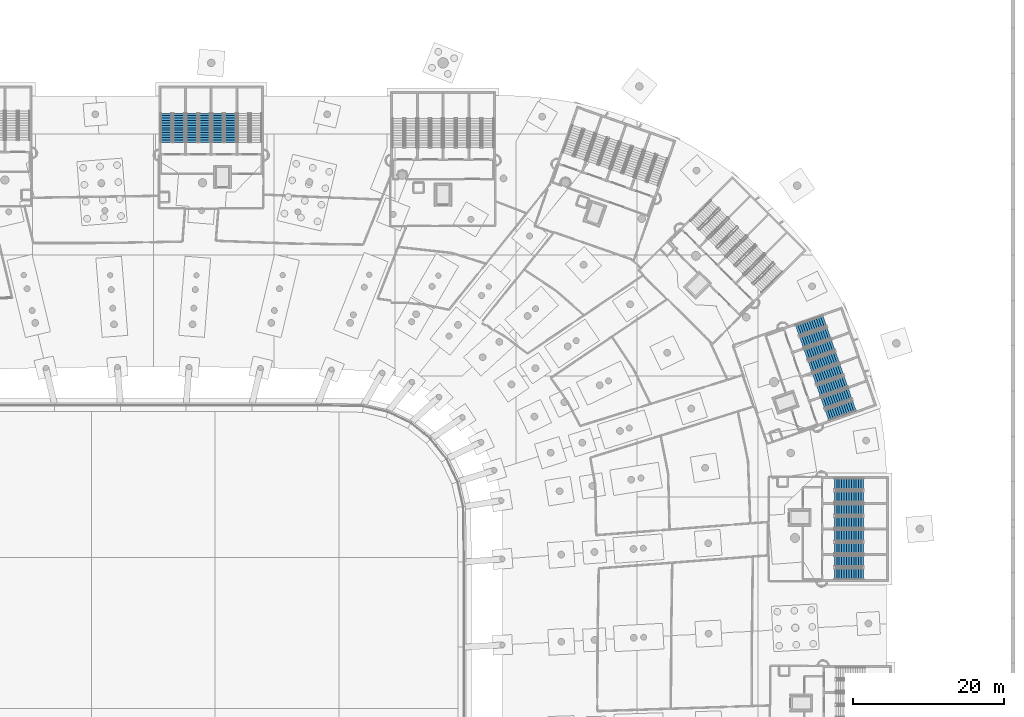
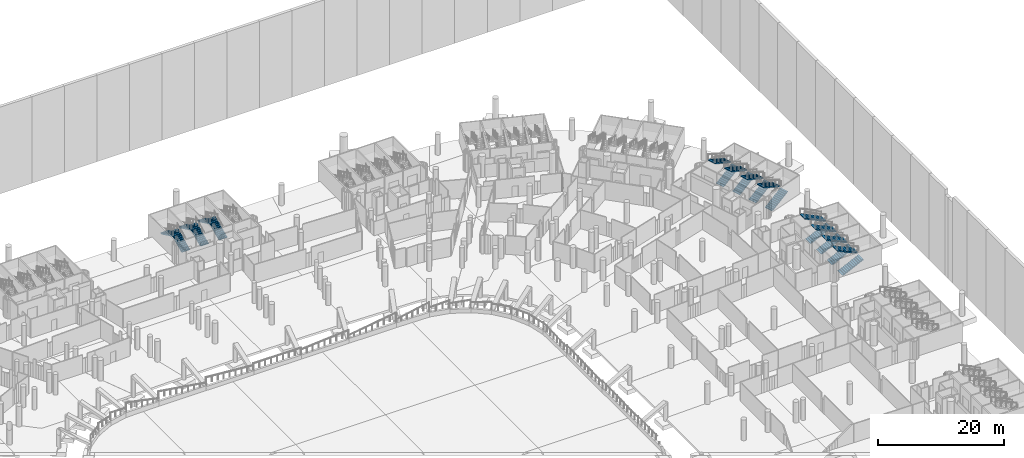
# One storey, part 106 of 142: 22 stair flights, 11 elements without a shape of their own.
"""IFC4 building model written with IfcOpenShell, lengths in metres."""

import ifcopenshell
import ifcopenshell.guid

model = None  # the IFC model being written
_history = None  # IfcOwnerHistory: only IFC2X3 demands one
_inside = {}  # id of a spatial element -> (the spatial element, [elements in it])
_under = {}  # id of a project, library or spatial element -> (it, [spatial elements below it])
_declared = {}  # id of a project -> (the project, [libraries it declares])
_typed = {}  # id of a type object -> (the type object, [elements of that type])
_made_of = {}  # id of a material, layer set ... -> (it, [elements and type objects made of it])


def new_model(schema):
    """Start an empty IFC model of exactly this schema.

    Asked for "IFC4X3", IfcOpenShell would pick the latest addendum, in which some entities
    have other attributes; the version numbers below select the first issue.
    IFC2X3 requires an IfcOwnerHistory on every rooted entity: one is made here for all.
    """
    global model, _history
    if schema == "IFC4X3":
        model = ifcopenshell.file(schema_version=(4, 3, 0, 0))
    else:
        model = ifcopenshell.file(schema=schema)
    _inside.clear()
    _under.clear()
    _declared.clear()
    _typed.clear()
    _made_of.clear()
    _history = None
    if model.schema == "IFC2X3":
        org = make("IfcOrganization", Name="unknown")
        user = make(
            "IfcPersonAndOrganization",
            ThePerson=make("IfcPerson", FamilyName="unknown"),
            TheOrganization=org,
        )
        app = make(
            "IfcApplication",
            ApplicationDeveloper=org,
            Version="unknown",
            ApplicationFullName="unknown",
            ApplicationIdentifier="unknown",
        )
        _history = make(
            "IfcOwnerHistory",
            OwningUser=user,
            OwningApplication=app,
            ChangeAction="ADDED",
            CreationDate=0,
        )
    return model


def make(cls, **values):
    """One entity of the class cls with the attributes given. An attribute that is None is left unset."""
    return model.create_entity(
        cls, **{name: value for name, value in values.items() if value is not None}
    )


def rooted(cls, **values):
    """An entity with a GlobalId (a new one), such as an element, a storey or a relation."""
    return make(cls, GlobalId=ifcopenshell.guid.new(), OwnerHistory=_history, **values)


def si_unit(unit_type, name, prefix=None):
    """IfcSIUnit, for example si_unit("LENGTHUNIT", "METRE", prefix="MILLI")."""
    return make("IfcSIUnit", UnitType=unit_type, Prefix=prefix, Name=name)


def assignment(units):
    """IfcUnitAssignment: the units of a project."""
    return None if units is None else make("IfcUnitAssignment", Units=units)


def point(xyz):
    """IfcCartesianPoint."""
    return None if xyz is None else make("IfcCartesianPoint", Coordinates=xyz)


def direction(xyz):
    """IfcDirection."""
    return None if xyz is None else make("IfcDirection", DirectionRatios=xyz)


def frame(location, z_axis=None, x_axis=None):
    """IfcAxis2Placement3D, a coordinate frame: its origin and axes. An axis left out is left unset."""
    return make(
        "IfcAxis2Placement3D",
        Location=point(location),
        Axis=direction(z_axis),
        RefDirection=direction(x_axis),
    )


def origin():
    """The frame at (0, 0, 0) with its axes left unset."""
    return frame((0.0, 0.0, 0.0))


def place(relative_to, where):
    """IfcLocalPlacement: puts the frame where relative to a parent placement (None: the world)."""
    return make(
        "IfcLocalPlacement", PlacementRelTo=relative_to, RelativePlacement=where
    )


def context(
    kind, dimensions, precision=None, world=None, true_north=None, identifier=None
):
    """IfcGeometricRepresentationContext, for example the 3D "Model" context."""
    return make(
        "IfcGeometricRepresentationContext",
        ContextIdentifier=identifier,
        ContextType=kind,
        CoordinateSpaceDimension=dimensions,
        Precision=precision,
        WorldCoordinateSystem=world,
        TrueNorth=true_north,
    )


def subcontext(parent, identifier, kind, view, scale=None):
    """IfcGeometricRepresentationSubContext, for example "Body" below "Model"."""
    return make(
        "IfcGeometricRepresentationSubContext",
        ContextIdentifier=identifier,
        ContextType=kind,
        ParentContext=parent,
        TargetScale=scale,
        TargetView=view,
    )


def project(units=None, contexts=None):
    """IfcProject with its units and contexts."""
    return rooted(
        "IfcProject",
        Name="project",
        RepresentationContexts=contexts,
        UnitsInContext=assignment(units),
    )


def spatial(cls, under=None, at=None, **own):
    """A site, building, storey or space (cls), placed at a placement, below another one or the project."""
    s = rooted(cls, ObjectPlacement=at, **own)
    if under is not None:
        _under.setdefault(under.id(), (under, []))[1].append(s)
    return s


def polyline(points):
    """IfcPolyline through the points."""
    return make("IfcPolyline", Points=[point(p) for p in points])


def outline(outer, holes=None, kind="AREA"):
    """IfcArbitraryClosedProfileDef: a profile drawn as a closed curve; with holes, ...WithVoids."""
    if holes is None:
        return make("IfcArbitraryClosedProfileDef", ProfileType=kind, OuterCurve=outer)
    return make(
        "IfcArbitraryProfileDefWithVoids",
        ProfileType=kind,
        OuterCurve=outer,
        InnerCurves=holes,
    )


def extrude(swept, where, along, depth):
    """IfcExtrudedAreaSolid: the profile swept, set in the frame where, extruded along a direction by depth."""
    return make(
        "IfcExtrudedAreaSolid",
        SweptArea=swept,
        Position=where,
        ExtrudedDirection=direction(along),
        Depth=depth,
    )


def shape(context_of_items, identifier, shape_type, items):
    """IfcShapeRepresentation: the items that make up one representation, for example the "Body"."""
    return make(
        "IfcShapeRepresentation",
        ContextOfItems=context_of_items,
        RepresentationIdentifier=identifier,
        RepresentationType=shape_type,
        Items=items,
    )


def material(Name=None, Category=None):
    """IfcMaterial."""
    return make("IfcMaterial", Name=Name, Category=Category)


def made_of(thing, what):
    """Note that an element or type object is made of a material, layer set ...; save() writes the relation."""
    if what is not None:
        _made_of.setdefault(what.id(), (what, []))[1].append(thing)
    return thing


def type_object(cls, material=None, **own):
    """A type object (cls), such as IfcWallType, which elements share."""
    return made_of(rooted(cls, **own), material)


def element(
    cls,
    number,
    at=None,
    inside=None,
    cuts=None,
    type_object=None,
    material=None,
    context=None,
    identifier="Body",
    shape_type=None,
    held_by="IfcProductDefinitionShape",
    body=None,
    shapes=None,
    **own,
):
    """One element of the class cls, such as IfcWall. Its Tag is "e" and its number.

    at: its placement. inside: the storey or other place that contains it. cuts: it is an
    opening in that element (IfcRelVoidsElement). A single representation is given by context,
    identifier, shape_type and body (its items); several are given by shapes. held_by: the class
    of the entity that holds the representations. save() writes the other relations.
    """
    e = rooted(cls, Tag="e%d" % number, ObjectPlacement=at, **own)
    if body is not None:
        shapes = [shape(context, identifier, shape_type, body)]
    if shapes is not None:
        e.Representation = make(held_by, Representations=shapes)
    if inside is not None:
        _inside.setdefault(inside.id(), (inside, []))[1].append(e)
    if cuts is not None:
        rooted(
            "IfcRelVoidsElement", RelatingBuildingElement=cuts, RelatedOpeningElement=e
        )
    if type_object is not None:
        _typed.setdefault(type_object.id(), (type_object, []))[1].append(e)
    return made_of(e, material)


def aggregate(whole, parts):
    """IfcRelAggregates: a whole, such as a stair, and the parts it consists of."""
    return rooted("IfcRelAggregates", RelatingObject=whole, RelatedObjects=parts)


def save(model, path):
    """Write the relations noted so far, then the file.

    IfcRelAggregates (storeys below a building ...), IfcRelContainedInSpatialStructure (elements
    in a storey), IfcRelDefinesByType, IfcRelAssociatesMaterial and IfcRelDeclares: one each for
    every whole, place, type object, material and project.
    """
    for whole, parts in _under.values():
        aggregate(whole, parts)
    for where, things in _inside.values():
        rooted(
            "IfcRelContainedInSpatialStructure",
            RelatedElements=things,
            RelatingStructure=where,
        )
    for kind, things in _typed.values():
        rooted("IfcRelDefinesByType", RelatedObjects=things, RelatingType=kind)
    for what, things in _made_of.values():
        rooted("IfcRelAssociatesMaterial", RelatedObjects=things, RelatingMaterial=what)
    for by, libraries in _declared.values():
        rooted("IfcRelDeclares", RelatingContext=by, RelatedDefinitions=libraries)
    model.write(path)


model = new_model("IFC4")

# Units and contexts
model_context = context("Model", 3, precision=1e-05, world=origin(), true_north=direction((0.0, 1.0)))
body_context = subcontext(model_context, "Body", "Model", "MODEL_VIEW")
ifc_project = project(units=[si_unit("LENGTHUNIT", "METRE"), si_unit("AREAUNIT", "SQUARE_METRE"), si_unit("VOLUMEUNIT", "CUBIC_METRE"), si_unit("PLANEANGLEUNIT", "RADIAN"), si_unit("MASSUNIT", "GRAM", prefix="KILO")], contexts=[model_context])

# Site, building, storey
site_placement = place(None, origin())
site = spatial("IfcSite", under=ifc_project, at=site_placement, CompositionType="ELEMENT")
building_placement = place(site_placement, origin())
building = spatial("IfcBuilding", under=site, at=building_placement, Name="Meseta Stadium", CompositionType="ELEMENT")
storey_placement = place(building_placement, frame((0.0, 0.0, -4.0)))
storey = spatial("IfcBuildingStorey", under=building, at=storey_placement, Name="B1", CompositionType="ELEMENT", Elevation=-4.0)

# Stair, stair flights
ifc_material_1 = material(Name="Concrete C40/50", Category="concrete")
stair_type = type_object("IfcStairType", Name="Exit stair 2 flights 154 mm risers", PredefinedType="HALF_TURN_STAIR", material=ifc_material_1)
stair_1_placement = place(storey_placement, origin())
stair_1 = element("IfcStair", 1, at=stair_1_placement, inside=storey, type_object=stair_type, Name="ST17 B1", PredefinedType="HALF_TURN_STAIR")
ifc_material_2 = material(Name="Concrete C40/50", Category="concrete")
stair_flight_type = type_object("IfcStairFlightType", Name="Exit stair flight 154 mm risers, 2 per storey", PredefinedType="STRAIGHT", material=ifc_material_2)
stair_flight_1_placement = place(storey_placement, frame((90.10009765625, 37.800048828125, 0.0), z_axis=(0.0, 0.0, 1.0), x_axis=(1.0, 0.0, 0.0)))
stair_flight_1 = element("IfcStairFlight", 2, at=stair_flight_1_placement, type_object=stair_flight_type, Name="ST17 B1 flight 1", NumberOfRisers=13, NumberOfTreads=12, PredefinedType="STRAIGHT", RiserHeight=0.153846154, TreadLength=0.32, context=body_context, shape_type="SweptSolid", body=[
    extrude(outline(polyline([(0.0, 0.0), (0.0, 0.15380859375), (0.320068359375, 0.15380859375), (0.320068359375, 0.3076171875), (0.639892578125, 0.3076171875), (0.639892578125, 0.46142578125), (0.9599609375, 0.46142578125), (0.9599609375, 0.615478515625), (1.280029296875, 0.615478515625), (1.280029296875, 0.769287109375), (1.60009765625, 0.769287109375), (1.60009765625, 0.923095703125), (1.919921875, 0.923095703125), (1.919921875, 1.076904296875), (2.239990234375, 1.076904296875), (2.239990234375, 1.230712890625), (2.56005859375, 1.230712890625), (2.56005859375, 1.384521484375), (2.8798828125, 1.384521484375), (2.8798828125, 1.53857421875), (3.199951171875, 1.53857421875), (3.199951171875, 1.6923828125), (3.52001953125, 1.6923828125), (3.52001953125, 1.84619140625), (3.840087890625, 1.84619140625), (3.840087890625, 1.679931640625), (0.345947265625, 0.0), (0.0, 0.0)])), frame((0.0, 0.75, 0.0), z_axis=(0.0, -1.0, 0.0), x_axis=(1.0, 0.0, 0.0)), (0.0, 0.0, 1.0), 1.5),
])
stair_flight_2_placement = place(storey_placement, frame((93.93994140625, 39.5, 2.0), z_axis=(0.0, 0.0, 1.0), x_axis=(-1.0, 0.0, 0.0)))
stair_flight_2 = element("IfcStairFlight", 3, at=stair_flight_2_placement, type_object=stair_flight_type, Name="ST17 B1 flight 2", NumberOfRisers=13, NumberOfTreads=12, PredefinedType="STRAIGHT", RiserHeight=0.153846154, TreadLength=0.32, context=body_context, shape_type="SweptSolid", body=[
    extrude(outline(polyline([(0.0, 0.0), (0.0, 0.15380859375), (0.320068359375, 0.15380859375), (0.320068359375, 0.3076171875), (0.639892578125, 0.3076171875), (0.639892578125, 0.46142578125), (0.9599609375, 0.46142578125), (0.9599609375, 0.615478515625), (1.280029296875, 0.615478515625), (1.280029296875, 0.769287109375), (1.60009765625, 0.769287109375), (1.60009765625, 0.923095703125), (1.919921875, 0.923095703125), (1.919921875, 1.076904296875), (2.239990234375, 1.076904296875), (2.239990234375, 1.230712890625), (2.56005859375, 1.230712890625), (2.56005859375, 1.384521484375), (2.8798828125, 1.384521484375), (2.8798828125, 1.53857421875), (3.199951171875, 1.53857421875), (3.199951171875, 1.6923828125), (3.52001953125, 1.6923828125), (3.52001953125, 1.84619140625), (3.840087890625, 1.84619140625), (3.840087890625, 1.679931640625), (0.345947265625, 0.0), (0.0, 0.0)])), frame((0.0, 0.75, 0.0), z_axis=(0.0, -1.0, 0.0), x_axis=(1.0, 0.0, 0.0)), (0.0, 0.0, 1.0), 1.5),
])
aggregate(stair_1, [stair_flight_1, stair_flight_2])

stair_2_placement = place(storey_placement, origin())
stair_2 = element("IfcStair", 4, at=stair_2_placement, inside=storey, type_object=stair_type, Name="ST18 B1", PredefinedType="HALF_TURN_STAIR")
stair_flight_3_placement = place(storey_placement, frame((90.10009765625, 41.199951171875, 0.0), z_axis=(0.0, 0.0, 1.0), x_axis=(1.0, 0.0, 0.0)))
stair_flight_3 = element("IfcStairFlight", 5, at=stair_flight_3_placement, type_object=stair_flight_type, Name="ST18 B1 flight 1", NumberOfRisers=13, NumberOfTreads=12, PredefinedType="STRAIGHT", RiserHeight=0.153846154, TreadLength=0.32, context=body_context, shape_type="SweptSolid", body=[
    extrude(outline(polyline([(0.0, 0.0), (0.0, 0.15380859375), (0.320068359375, 0.15380859375), (0.320068359375, 0.3076171875), (0.639892578125, 0.3076171875), (0.639892578125, 0.46142578125), (0.9599609375, 0.46142578125), (0.9599609375, 0.615478515625), (1.280029296875, 0.615478515625), (1.280029296875, 0.769287109375), (1.60009765625, 0.769287109375), (1.60009765625, 0.923095703125), (1.919921875, 0.923095703125), (1.919921875, 1.076904296875), (2.239990234375, 1.076904296875), (2.239990234375, 1.230712890625), (2.56005859375, 1.230712890625), (2.56005859375, 1.384521484375), (2.8798828125, 1.384521484375), (2.8798828125, 1.53857421875), (3.199951171875, 1.53857421875), (3.199951171875, 1.6923828125), (3.52001953125, 1.6923828125), (3.52001953125, 1.84619140625), (3.840087890625, 1.84619140625), (3.840087890625, 1.679931640625), (0.345947265625, 0.0), (0.0, 0.0)])), frame((0.0, 0.75, 0.0), z_axis=(0.0, -1.0, 0.0), x_axis=(1.0, 0.0, 0.0)), (0.0, 0.0, 1.0), 1.5),
])
stair_flight_4_placement = place(storey_placement, frame((93.93994140625, 42.89990234375, 2.0), z_axis=(0.0, 0.0, 1.0), x_axis=(-1.0, 0.0, 0.0)))
stair_flight_4 = element("IfcStairFlight", 6, at=stair_flight_4_placement, type_object=stair_flight_type, Name="ST18 B1 flight 2", NumberOfRisers=13, NumberOfTreads=12, PredefinedType="STRAIGHT", RiserHeight=0.153846154, TreadLength=0.32, context=body_context, shape_type="SweptSolid", body=[
    extrude(outline(polyline([(0.0, 0.0), (0.0, 0.15380859375), (0.320068359375, 0.15380859375), (0.320068359375, 0.3076171875), (0.639892578125, 0.3076171875), (0.639892578125, 0.46142578125), (0.9599609375, 0.46142578125), (0.9599609375, 0.615478515625), (1.280029296875, 0.615478515625), (1.280029296875, 0.769287109375), (1.60009765625, 0.769287109375), (1.60009765625, 0.923095703125), (1.919921875, 0.923095703125), (1.919921875, 1.076904296875), (2.239990234375, 1.076904296875), (2.239990234375, 1.230712890625), (2.56005859375, 1.230712890625), (2.56005859375, 1.384521484375), (2.8798828125, 1.384521484375), (2.8798828125, 1.53857421875), (3.199951171875, 1.53857421875), (3.199951171875, 1.6923828125), (3.52001953125, 1.6923828125), (3.52001953125, 1.84619140625), (3.840087890625, 1.84619140625), (3.840087890625, 1.679931640625), (0.345947265625, 0.0), (0.0, 0.0)])), frame((0.0, 0.75, 0.0), z_axis=(0.0, -1.0, 0.0), x_axis=(1.0, 0.0, 0.0)), (0.0, 0.0, 1.0), 1.5),
])
aggregate(stair_2, [stair_flight_3, stair_flight_4])

stair_3_placement = place(storey_placement, origin())
stair_3 = element("IfcStair", 7, at=stair_3_placement, inside=storey, type_object=stair_type, Name="ST19 B1", PredefinedType="HALF_TURN_STAIR")
stair_flight_5_placement = place(storey_placement, frame((90.10009765625, 44.60009765625, 0.0), z_axis=(0.0, 0.0, 1.0), x_axis=(1.0, 0.0, 0.0)))
stair_flight_5 = element("IfcStairFlight", 8, at=stair_flight_5_placement, type_object=stair_flight_type, Name="ST19 B1 flight 1", NumberOfRisers=13, NumberOfTreads=12, PredefinedType="STRAIGHT", RiserHeight=0.153846154, TreadLength=0.32, context=body_context, shape_type="SweptSolid", body=[
    extrude(outline(polyline([(0.0, 0.0), (0.0, 0.15380859375), (0.320068359375, 0.15380859375), (0.320068359375, 0.3076171875), (0.639892578125, 0.3076171875), (0.639892578125, 0.46142578125), (0.9599609375, 0.46142578125), (0.9599609375, 0.615478515625), (1.280029296875, 0.615478515625), (1.280029296875, 0.769287109375), (1.60009765625, 0.769287109375), (1.60009765625, 0.923095703125), (1.919921875, 0.923095703125), (1.919921875, 1.076904296875), (2.239990234375, 1.076904296875), (2.239990234375, 1.230712890625), (2.56005859375, 1.230712890625), (2.56005859375, 1.384521484375), (2.8798828125, 1.384521484375), (2.8798828125, 1.53857421875), (3.199951171875, 1.53857421875), (3.199951171875, 1.6923828125), (3.52001953125, 1.6923828125), (3.52001953125, 1.84619140625), (3.840087890625, 1.84619140625), (3.840087890625, 1.679931640625), (0.345947265625, 0.0), (0.0, 0.0)])), frame((0.0, 0.75, 0.0), z_axis=(0.0, -1.0, 0.0), x_axis=(1.0, 0.0, 0.0)), (0.0, 0.0, 1.0), 1.5),
])
stair_flight_6_placement = place(storey_placement, frame((93.93994140625, 46.300048828125, 2.0), z_axis=(0.0, 0.0, 1.0), x_axis=(-1.0, 0.0, 0.0)))
stair_flight_6 = element("IfcStairFlight", 9, at=stair_flight_6_placement, type_object=stair_flight_type, Name="ST19 B1 flight 2", NumberOfRisers=13, NumberOfTreads=12, PredefinedType="STRAIGHT", RiserHeight=0.153846154, TreadLength=0.32, context=body_context, shape_type="SweptSolid", body=[
    extrude(outline(polyline([(0.0, 0.0), (0.0, 0.15380859375), (0.320068359375, 0.15380859375), (0.320068359375, 0.3076171875), (0.639892578125, 0.3076171875), (0.639892578125, 0.46142578125), (0.9599609375, 0.46142578125), (0.9599609375, 0.615478515625), (1.280029296875, 0.615478515625), (1.280029296875, 0.769287109375), (1.60009765625, 0.769287109375), (1.60009765625, 0.923095703125), (1.919921875, 0.923095703125), (1.919921875, 1.076904296875), (2.239990234375, 1.076904296875), (2.239990234375, 1.230712890625), (2.56005859375, 1.230712890625), (2.56005859375, 1.384521484375), (2.8798828125, 1.384521484375), (2.8798828125, 1.53857421875), (3.199951171875, 1.53857421875), (3.199951171875, 1.6923828125), (3.52001953125, 1.6923828125), (3.52001953125, 1.84619140625), (3.840087890625, 1.84619140625), (3.840087890625, 1.679931640625), (0.345947265625, 0.0), (0.0, 0.0)])), frame((0.0, 0.75, 0.0), z_axis=(0.0, -1.0, 0.0), x_axis=(1.0, 0.0, 0.0)), (0.0, 0.0, 1.0), 1.5),
])
aggregate(stair_3, [stair_flight_5, stair_flight_6])

stair_4_placement = place(storey_placement, origin())
stair_4 = element("IfcStair", 10, at=stair_4_placement, inside=storey, type_object=stair_type, Name="ST20 B1", PredefinedType="HALF_TURN_STAIR")
stair_flight_7_placement = place(storey_placement, frame((90.10009765625, 48.0, 0.0), z_axis=(0.0, 0.0, 1.0), x_axis=(1.0, 0.0, 0.0)))
stair_flight_7 = element("IfcStairFlight", 11, at=stair_flight_7_placement, type_object=stair_flight_type, Name="ST20 B1 flight 1", NumberOfRisers=13, NumberOfTreads=12, PredefinedType="STRAIGHT", RiserHeight=0.153846154, TreadLength=0.32, context=body_context, shape_type="SweptSolid", body=[
    extrude(outline(polyline([(0.0, 0.0), (0.0, 0.15380859375), (0.320068359375, 0.15380859375), (0.320068359375, 0.3076171875), (0.639892578125, 0.3076171875), (0.639892578125, 0.46142578125), (0.9599609375, 0.46142578125), (0.9599609375, 0.615478515625), (1.280029296875, 0.615478515625), (1.280029296875, 0.769287109375), (1.60009765625, 0.769287109375), (1.60009765625, 0.923095703125), (1.919921875, 0.923095703125), (1.919921875, 1.076904296875), (2.239990234375, 1.076904296875), (2.239990234375, 1.230712890625), (2.56005859375, 1.230712890625), (2.56005859375, 1.384521484375), (2.8798828125, 1.384521484375), (2.8798828125, 1.53857421875), (3.199951171875, 1.53857421875), (3.199951171875, 1.6923828125), (3.52001953125, 1.6923828125), (3.52001953125, 1.84619140625), (3.840087890625, 1.84619140625), (3.840087890625, 1.679931640625), (0.345947265625, 0.0), (0.0, 0.0)])), frame((0.0, 0.75, 0.0), z_axis=(0.0, -1.0, 0.0), x_axis=(1.0, 0.0, 0.0)), (0.0, 0.0, 1.0), 1.5),
])
stair_flight_8_placement = place(storey_placement, frame((93.93994140625, 49.699951171875, 2.0), z_axis=(0.0, 0.0, 1.0), x_axis=(-1.0, 0.0, 0.0)))
stair_flight_8 = element("IfcStairFlight", 12, at=stair_flight_8_placement, type_object=stair_flight_type, Name="ST20 B1 flight 2", NumberOfRisers=13, NumberOfTreads=12, PredefinedType="STRAIGHT", RiserHeight=0.153846154, TreadLength=0.32, context=body_context, shape_type="SweptSolid", body=[
    extrude(outline(polyline([(0.0, 0.0), (0.0, 0.15380859375), (0.320068359375, 0.15380859375), (0.320068359375, 0.3076171875), (0.639892578125, 0.3076171875), (0.639892578125, 0.46142578125), (0.9599609375, 0.46142578125), (0.9599609375, 0.615478515625), (1.280029296875, 0.615478515625), (1.280029296875, 0.769287109375), (1.60009765625, 0.769287109375), (1.60009765625, 0.923095703125), (1.919921875, 0.923095703125), (1.919921875, 1.076904296875), (2.239990234375, 1.076904296875), (2.239990234375, 1.230712890625), (2.56005859375, 1.230712890625), (2.56005859375, 1.384521484375), (2.8798828125, 1.384521484375), (2.8798828125, 1.53857421875), (3.199951171875, 1.53857421875), (3.199951171875, 1.6923828125), (3.52001953125, 1.6923828125), (3.52001953125, 1.84619140625), (3.840087890625, 1.84619140625), (3.840087890625, 1.679931640625), (0.345947265625, 0.0), (0.0, 0.0)])), frame((0.0, 0.75, 0.0), z_axis=(0.0, -1.0, 0.0), x_axis=(1.0, 0.0, 0.0)), (0.0, 0.0, 1.0), 1.5),
])
aggregate(stair_4, [stair_flight_7, stair_flight_8])

stair_5_placement = place(storey_placement, origin())
stair_5 = element("IfcStair", 13, at=stair_5_placement, inside=storey, type_object=stair_type, Name="ST21 B1", PredefinedType="HALF_TURN_STAIR")
stair_flight_9_placement = place(storey_placement, frame((89.118408203125, 58.7841796875, 0.0), z_axis=(0.0, 0.0, 1.0), x_axis=(0.943883331955, 0.330279057248, 0.0)))
stair_flight_9 = element("IfcStairFlight", 14, at=stair_flight_9_placement, type_object=stair_flight_type, Name="ST21 B1 flight 1", NumberOfRisers=13, NumberOfTreads=12, PredefinedType="STRAIGHT", RiserHeight=0.153846154, TreadLength=0.32, context=body_context, shape_type="SweptSolid", body=[
    extrude(outline(polyline([(0.0, 0.0), (0.0, 0.15380859375), (0.320068359375, 0.15380859375), (0.320068359375, 0.3076171875), (0.639892578125, 0.3076171875), (0.639892578125, 0.46142578125), (0.9599609375, 0.46142578125), (0.9599609375, 0.615478515625), (1.280029296875, 0.615478515625), (1.280029296875, 0.769287109375), (1.60009765625, 0.769287109375), (1.60009765625, 0.923095703125), (1.919921875, 0.923095703125), (1.919921875, 1.076904296875), (2.239990234375, 1.076904296875), (2.239990234375, 1.230712890625), (2.56005859375, 1.230712890625), (2.56005859375, 1.384521484375), (2.8798828125, 1.384521484375), (2.8798828125, 1.53857421875), (3.199951171875, 1.53857421875), (3.199951171875, 1.6923828125), (3.52001953125, 1.6923828125), (3.52001953125, 1.84619140625), (3.840087890625, 1.84619140625), (3.840087890625, 1.679931640625), (0.345947265625, 0.0), (0.0, 0.0)])), frame((0.0, 0.75, 0.0), z_axis=(0.0, -1.0, 0.0), x_axis=(1.0, 0.0, 0.0)), (0.0, 0.0, 1.0), 1.5),
])
stair_flight_10_placement = place(storey_placement, frame((92.181396484375, 61.656982421875, 2.0), z_axis=(0.0, 0.0, 1.0), x_axis=(-0.943883331955, -0.330279057248, 0.0)))
stair_flight_10 = element("IfcStairFlight", 15, at=stair_flight_10_placement, type_object=stair_flight_type, Name="ST21 B1 flight 2", NumberOfRisers=13, NumberOfTreads=12, PredefinedType="STRAIGHT", RiserHeight=0.153846154, TreadLength=0.32, context=body_context, shape_type="SweptSolid", body=[
    extrude(outline(polyline([(0.0, 0.0), (0.0, 0.15380859375), (0.320068359375, 0.15380859375), (0.320068359375, 0.3076171875), (0.639892578125, 0.3076171875), (0.639892578125, 0.46142578125), (0.9599609375, 0.46142578125), (0.9599609375, 0.615478515625), (1.280029296875, 0.615478515625), (1.280029296875, 0.769287109375), (1.60009765625, 0.769287109375), (1.60009765625, 0.923095703125), (1.919921875, 0.923095703125), (1.919921875, 1.076904296875), (2.239990234375, 1.076904296875), (2.239990234375, 1.230712890625), (2.56005859375, 1.230712890625), (2.56005859375, 1.384521484375), (2.8798828125, 1.384521484375), (2.8798828125, 1.53857421875), (3.199951171875, 1.53857421875), (3.199951171875, 1.6923828125), (3.52001953125, 1.6923828125), (3.52001953125, 1.84619140625), (3.840087890625, 1.84619140625), (3.840087890625, 1.679931640625), (0.345947265625, 0.0), (0.0, 0.0)])), frame((0.0, 0.75, 0.0), z_axis=(0.0, -1.0, 0.0), x_axis=(1.0, 0.0, 0.0)), (0.0, 0.0, 1.0), 1.5),
])
aggregate(stair_5, [stair_flight_9, stair_flight_10])

stair_6_placement = place(storey_placement, origin())
stair_6 = element("IfcStair", 16, at=stair_6_placement, inside=storey, type_object=stair_type, Name="ST22 B1", PredefinedType="HALF_TURN_STAIR")
stair_flight_11_placement = place(storey_placement, frame((87.99560546875, 61.9931640625, 0.0), z_axis=(0.0, 0.0, 1.0), x_axis=(0.943883331955, 0.330279057248, 0.0)))
stair_flight_11 = element("IfcStairFlight", 17, at=stair_flight_11_placement, type_object=stair_flight_type, Name="ST22 B1 flight 1", NumberOfRisers=13, NumberOfTreads=12, PredefinedType="STRAIGHT", RiserHeight=0.153846154, TreadLength=0.32, context=body_context, shape_type="SweptSolid", body=[
    extrude(outline(polyline([(0.0, 0.0), (0.0, 0.15380859375), (0.320068359375, 0.15380859375), (0.320068359375, 0.3076171875), (0.639892578125, 0.3076171875), (0.639892578125, 0.46142578125), (0.9599609375, 0.46142578125), (0.9599609375, 0.615478515625), (1.280029296875, 0.615478515625), (1.280029296875, 0.769287109375), (1.60009765625, 0.769287109375), (1.60009765625, 0.923095703125), (1.919921875, 0.923095703125), (1.919921875, 1.076904296875), (2.239990234375, 1.076904296875), (2.239990234375, 1.230712890625), (2.56005859375, 1.230712890625), (2.56005859375, 1.384521484375), (2.8798828125, 1.384521484375), (2.8798828125, 1.53857421875), (3.199951171875, 1.53857421875), (3.199951171875, 1.6923828125), (3.52001953125, 1.6923828125), (3.52001953125, 1.84619140625), (3.840087890625, 1.84619140625), (3.840087890625, 1.679931640625), (0.345947265625, 0.0), (0.0, 0.0)])), frame((0.0, 0.75, 0.0), z_axis=(0.0, -1.0, 0.0), x_axis=(1.0, 0.0, 0.0)), (0.0, 0.0, 1.0), 1.5),
])
stair_flight_12_placement = place(storey_placement, frame((91.05859375, 64.8662109375, 2.0), z_axis=(0.0, 0.0, 1.0), x_axis=(-0.943883331955, -0.330279057248, 0.0)))
stair_flight_12 = element("IfcStairFlight", 18, at=stair_flight_12_placement, type_object=stair_flight_type, Name="ST22 B1 flight 2", NumberOfRisers=13, NumberOfTreads=12, PredefinedType="STRAIGHT", RiserHeight=0.153846154, TreadLength=0.32, context=body_context, shape_type="SweptSolid", body=[
    extrude(outline(polyline([(0.0, 0.0), (0.0, 0.15380859375), (0.320068359375, 0.15380859375), (0.320068359375, 0.3076171875), (0.639892578125, 0.3076171875), (0.639892578125, 0.46142578125), (0.9599609375, 0.46142578125), (0.9599609375, 0.615478515625), (1.280029296875, 0.615478515625), (1.280029296875, 0.769287109375), (1.60009765625, 0.769287109375), (1.60009765625, 0.923095703125), (1.919921875, 0.923095703125), (1.919921875, 1.076904296875), (2.239990234375, 1.076904296875), (2.239990234375, 1.230712890625), (2.56005859375, 1.230712890625), (2.56005859375, 1.384521484375), (2.8798828125, 1.384521484375), (2.8798828125, 1.53857421875), (3.199951171875, 1.53857421875), (3.199951171875, 1.6923828125), (3.52001953125, 1.6923828125), (3.52001953125, 1.84619140625), (3.840087890625, 1.84619140625), (3.840087890625, 1.679931640625), (0.345947265625, 0.0), (0.0, 0.0)])), frame((0.0, 0.75, 0.0), z_axis=(0.0, -1.0, 0.0), x_axis=(1.0, 0.0, 0.0)), (0.0, 0.0, 1.0), 1.5),
])
aggregate(stair_6, [stair_flight_11, stair_flight_12])

stair_7_placement = place(storey_placement, origin())
stair_7 = element("IfcStair", 19, at=stair_7_placement, inside=storey, type_object=stair_type, Name="ST23 B1", PredefinedType="HALF_TURN_STAIR")
stair_flight_13_placement = place(storey_placement, frame((86.87255859375, 65.202392578125, 0.0), z_axis=(0.0, 0.0, 1.0), x_axis=(0.943883331955, 0.330279057248, 0.0)))
stair_flight_13 = element("IfcStairFlight", 20, at=stair_flight_13_placement, type_object=stair_flight_type, Name="ST23 B1 flight 1", NumberOfRisers=13, NumberOfTreads=12, PredefinedType="STRAIGHT", RiserHeight=0.153846154, TreadLength=0.32, context=body_context, shape_type="SweptSolid", body=[
    extrude(outline(polyline([(0.0, 0.0), (0.0, 0.15380859375), (0.320068359375, 0.15380859375), (0.320068359375, 0.3076171875), (0.639892578125, 0.3076171875), (0.639892578125, 0.46142578125), (0.9599609375, 0.46142578125), (0.9599609375, 0.615478515625), (1.280029296875, 0.615478515625), (1.280029296875, 0.769287109375), (1.60009765625, 0.769287109375), (1.60009765625, 0.923095703125), (1.919921875, 0.923095703125), (1.919921875, 1.076904296875), (2.239990234375, 1.076904296875), (2.239990234375, 1.230712890625), (2.56005859375, 1.230712890625), (2.56005859375, 1.384521484375), (2.8798828125, 1.384521484375), (2.8798828125, 1.53857421875), (3.199951171875, 1.53857421875), (3.199951171875, 1.6923828125), (3.52001953125, 1.6923828125), (3.52001953125, 1.84619140625), (3.840087890625, 1.84619140625), (3.840087890625, 1.679931640625), (0.345947265625, 0.0), (0.0, 0.0)])), frame((0.0, 0.75, 0.0), z_axis=(0.0, -1.0, 0.0), x_axis=(1.0, 0.0, 0.0)), (0.0, 0.0, 1.0), 1.5),
])
stair_flight_14_placement = place(storey_placement, frame((89.935546875, 68.075439453125, 2.0), z_axis=(0.0, 0.0, 1.0), x_axis=(-0.943883331955, -0.330279057248, 0.0)))
stair_flight_14 = element("IfcStairFlight", 21, at=stair_flight_14_placement, type_object=stair_flight_type, Name="ST23 B1 flight 2", NumberOfRisers=13, NumberOfTreads=12, PredefinedType="STRAIGHT", RiserHeight=0.153846154, TreadLength=0.32, context=body_context, shape_type="SweptSolid", body=[
    extrude(outline(polyline([(0.0, 0.0), (0.0, 0.15380859375), (0.320068359375, 0.15380859375), (0.320068359375, 0.3076171875), (0.639892578125, 0.3076171875), (0.639892578125, 0.46142578125), (0.9599609375, 0.46142578125), (0.9599609375, 0.615478515625), (1.280029296875, 0.615478515625), (1.280029296875, 0.769287109375), (1.60009765625, 0.769287109375), (1.60009765625, 0.923095703125), (1.919921875, 0.923095703125), (1.919921875, 1.076904296875), (2.239990234375, 1.076904296875), (2.239990234375, 1.230712890625), (2.56005859375, 1.230712890625), (2.56005859375, 1.384521484375), (2.8798828125, 1.384521484375), (2.8798828125, 1.53857421875), (3.199951171875, 1.53857421875), (3.199951171875, 1.6923828125), (3.52001953125, 1.6923828125), (3.52001953125, 1.84619140625), (3.840087890625, 1.84619140625), (3.840087890625, 1.679931640625), (0.345947265625, 0.0), (0.0, 0.0)])), frame((0.0, 0.75, 0.0), z_axis=(0.0, -1.0, 0.0), x_axis=(1.0, 0.0, 0.0)), (0.0, 0.0, 1.0), 1.5),
])
aggregate(stair_7, [stair_flight_13, stair_flight_14])

stair_8_placement = place(storey_placement, origin())
stair_8 = element("IfcStair", 22, at=stair_8_placement, inside=storey, type_object=stair_type, Name="ST24 B1", PredefinedType="HALF_TURN_STAIR")
stair_flight_15_placement = place(storey_placement, frame((85.74951171875, 68.41162109375, 0.0), z_axis=(0.0, 0.0, 1.0), x_axis=(0.943883331955, 0.330279057248, 0.0)))
stair_flight_15 = element("IfcStairFlight", 23, at=stair_flight_15_placement, type_object=stair_flight_type, Name="ST24 B1 flight 1", NumberOfRisers=13, NumberOfTreads=12, PredefinedType="STRAIGHT", RiserHeight=0.153846154, TreadLength=0.32, context=body_context, shape_type="SweptSolid", body=[
    extrude(outline(polyline([(0.0, 0.0), (0.0, 0.15380859375), (0.320068359375, 0.15380859375), (0.320068359375, 0.3076171875), (0.639892578125, 0.3076171875), (0.639892578125, 0.46142578125), (0.9599609375, 0.46142578125), (0.9599609375, 0.615478515625), (1.280029296875, 0.615478515625), (1.280029296875, 0.769287109375), (1.60009765625, 0.769287109375), (1.60009765625, 0.923095703125), (1.919921875, 0.923095703125), (1.919921875, 1.076904296875), (2.239990234375, 1.076904296875), (2.239990234375, 1.230712890625), (2.56005859375, 1.230712890625), (2.56005859375, 1.384521484375), (2.8798828125, 1.384521484375), (2.8798828125, 1.53857421875), (3.199951171875, 1.53857421875), (3.199951171875, 1.6923828125), (3.52001953125, 1.6923828125), (3.52001953125, 1.84619140625), (3.840087890625, 1.84619140625), (3.840087890625, 1.679931640625), (0.345947265625, 0.0), (0.0, 0.0)])), frame((0.0, 0.75, 0.0), z_axis=(0.0, -1.0, 0.0), x_axis=(1.0, 0.0, 0.0)), (0.0, 0.0, 1.0), 1.5),
])
stair_flight_16_placement = place(storey_placement, frame((88.812744140625, 71.284423828125, 2.0), z_axis=(0.0, 0.0, 1.0), x_axis=(-0.943883331955, -0.330279057248, 0.0)))
stair_flight_16 = element("IfcStairFlight", 24, at=stair_flight_16_placement, type_object=stair_flight_type, Name="ST24 B1 flight 2", NumberOfRisers=13, NumberOfTreads=12, PredefinedType="STRAIGHT", RiserHeight=0.153846154, TreadLength=0.32, context=body_context, shape_type="SweptSolid", body=[
    extrude(outline(polyline([(0.0, 0.0), (0.0, 0.15380859375), (0.320068359375, 0.15380859375), (0.320068359375, 0.3076171875), (0.639892578125, 0.3076171875), (0.639892578125, 0.46142578125), (0.9599609375, 0.46142578125), (0.9599609375, 0.615478515625), (1.280029296875, 0.615478515625), (1.280029296875, 0.769287109375), (1.60009765625, 0.769287109375), (1.60009765625, 0.923095703125), (1.919921875, 0.923095703125), (1.919921875, 1.076904296875), (2.239990234375, 1.076904296875), (2.239990234375, 1.230712890625), (2.56005859375, 1.230712890625), (2.56005859375, 1.384521484375), (2.8798828125, 1.384521484375), (2.8798828125, 1.53857421875), (3.199951171875, 1.53857421875), (3.199951171875, 1.6923828125), (3.52001953125, 1.6923828125), (3.52001953125, 1.84619140625), (3.840087890625, 1.84619140625), (3.840087890625, 1.679931640625), (0.345947265625, 0.0), (0.0, 0.0)])), frame((0.0, 0.75, 0.0), z_axis=(0.0, -1.0, 0.0), x_axis=(1.0, 0.0, 0.0)), (0.0, 0.0, 1.0), 1.5),
])
aggregate(stair_8, [stair_flight_15, stair_flight_16])

stair_9_placement = place(storey_placement, origin())
stair_9 = element("IfcStair", 25, at=stair_9_placement, inside=storey, type_object=stair_type, Name="ST38 B1", PredefinedType="HALF_TURN_STAIR")
stair_flight_17_placement = place(storey_placement, frame((10.216552734375, 94.89990234375, 0.0), z_axis=(0.0, 0.0, 1.0), x_axis=(0.0, 1.0, 0.0)))
stair_flight_17 = element("IfcStairFlight", 26, at=stair_flight_17_placement, type_object=stair_flight_type, Name="ST38 B1 flight 1", NumberOfRisers=13, NumberOfTreads=12, PredefinedType="STRAIGHT", RiserHeight=0.153846154, TreadLength=0.32, context=body_context, shape_type="SweptSolid", body=[
    extrude(outline(polyline([(0.0, 0.0), (0.0, 0.15380859375), (0.320068359375, 0.15380859375), (0.320068359375, 0.3076171875), (0.639892578125, 0.3076171875), (0.639892578125, 0.46142578125), (0.9599609375, 0.46142578125), (0.9599609375, 0.615478515625), (1.280029296875, 0.615478515625), (1.280029296875, 0.769287109375), (1.60009765625, 0.769287109375), (1.60009765625, 0.923095703125), (1.919921875, 0.923095703125), (1.919921875, 1.076904296875), (2.239990234375, 1.076904296875), (2.239990234375, 1.230712890625), (2.56005859375, 1.230712890625), (2.56005859375, 1.384521484375), (2.8798828125, 1.384521484375), (2.8798828125, 1.53857421875), (3.199951171875, 1.53857421875), (3.199951171875, 1.6923828125), (3.52001953125, 1.6923828125), (3.52001953125, 1.84619140625), (3.840087890625, 1.84619140625), (3.840087890625, 1.679931640625), (0.345947265625, 0.0), (0.0, 0.0)])), frame((0.0, 0.75, 0.0), z_axis=(0.0, -1.0, 0.0), x_axis=(1.0, 0.0, 0.0)), (0.0, 0.0, 1.0), 1.5),
])
stair_flight_18_placement = place(storey_placement, frame((8.5166015625, 98.739990234375, 2.0), z_axis=(0.0, 0.0, 1.0), x_axis=(0.0, -1.0, 0.0)))
stair_flight_18 = element("IfcStairFlight", 27, at=stair_flight_18_placement, type_object=stair_flight_type, Name="ST38 B1 flight 2", NumberOfRisers=13, NumberOfTreads=12, PredefinedType="STRAIGHT", RiserHeight=0.153846154, TreadLength=0.32, context=body_context, shape_type="SweptSolid", body=[
    extrude(outline(polyline([(0.0, 0.0), (0.0, 0.15380859375), (0.320068359375, 0.15380859375), (0.320068359375, 0.3076171875), (0.639892578125, 0.3076171875), (0.639892578125, 0.46142578125), (0.9599609375, 0.46142578125), (0.9599609375, 0.615478515625), (1.280029296875, 0.615478515625), (1.280029296875, 0.769287109375), (1.60009765625, 0.769287109375), (1.60009765625, 0.923095703125), (1.919921875, 0.923095703125), (1.919921875, 1.076904296875), (2.239990234375, 1.076904296875), (2.239990234375, 1.230712890625), (2.56005859375, 1.230712890625), (2.56005859375, 1.384521484375), (2.8798828125, 1.384521484375), (2.8798828125, 1.53857421875), (3.199951171875, 1.53857421875), (3.199951171875, 1.6923828125), (3.52001953125, 1.6923828125), (3.52001953125, 1.84619140625), (3.840087890625, 1.84619140625), (3.840087890625, 1.679931640625), (0.345947265625, 0.0), (0.0, 0.0)])), frame((0.0, 0.75, 0.0), z_axis=(0.0, -1.0, 0.0), x_axis=(1.0, 0.0, 0.0)), (0.0, 0.0, 1.0), 1.5),
])
aggregate(stair_9, [stair_flight_17, stair_flight_18])

stair_10_placement = place(storey_placement, origin())
stair_10 = element("IfcStair", 28, at=stair_10_placement, inside=storey, type_object=stair_type, Name="ST39 B1", PredefinedType="HALF_TURN_STAIR")
stair_flight_19_placement = place(storey_placement, frame((6.816650390625, 94.89990234375, 0.0), z_axis=(0.0, 0.0, 1.0), x_axis=(0.0, 1.0, 0.0)))
stair_flight_19 = element("IfcStairFlight", 29, at=stair_flight_19_placement, type_object=stair_flight_type, Name="ST39 B1 flight 1", NumberOfRisers=13, NumberOfTreads=12, PredefinedType="STRAIGHT", RiserHeight=0.153846154, TreadLength=0.32, context=body_context, shape_type="SweptSolid", body=[
    extrude(outline(polyline([(0.0, 0.0), (0.0, 0.15380859375), (0.320068359375, 0.15380859375), (0.320068359375, 0.3076171875), (0.639892578125, 0.3076171875), (0.639892578125, 0.46142578125), (0.9599609375, 0.46142578125), (0.9599609375, 0.615478515625), (1.280029296875, 0.615478515625), (1.280029296875, 0.769287109375), (1.60009765625, 0.769287109375), (1.60009765625, 0.923095703125), (1.919921875, 0.923095703125), (1.919921875, 1.076904296875), (2.239990234375, 1.076904296875), (2.239990234375, 1.230712890625), (2.56005859375, 1.230712890625), (2.56005859375, 1.384521484375), (2.8798828125, 1.384521484375), (2.8798828125, 1.53857421875), (3.199951171875, 1.53857421875), (3.199951171875, 1.6923828125), (3.52001953125, 1.6923828125), (3.52001953125, 1.84619140625), (3.840087890625, 1.84619140625), (3.840087890625, 1.679931640625), (0.345947265625, 0.0), (0.0, 0.0)])), frame((0.0, 0.75, 0.0), z_axis=(0.0, -1.0, 0.0), x_axis=(1.0, 0.0, 0.0)), (0.0, 0.0, 1.0), 1.5),
])
stair_flight_20_placement = place(storey_placement, frame((5.11669921875, 98.739990234375, 2.0), z_axis=(0.0, 0.0, 1.0), x_axis=(0.0, -1.0, 0.0)))
stair_flight_20 = element("IfcStairFlight", 30, at=stair_flight_20_placement, type_object=stair_flight_type, Name="ST39 B1 flight 2", NumberOfRisers=13, NumberOfTreads=12, PredefinedType="STRAIGHT", RiserHeight=0.153846154, TreadLength=0.32, context=body_context, shape_type="SweptSolid", body=[
    extrude(outline(polyline([(0.0, 0.0), (0.0, 0.15380859375), (0.320068359375, 0.15380859375), (0.320068359375, 0.3076171875), (0.639892578125, 0.3076171875), (0.639892578125, 0.46142578125), (0.9599609375, 0.46142578125), (0.9599609375, 0.615478515625), (1.280029296875, 0.615478515625), (1.280029296875, 0.769287109375), (1.60009765625, 0.769287109375), (1.60009765625, 0.923095703125), (1.919921875, 0.923095703125), (1.919921875, 1.076904296875), (2.239990234375, 1.076904296875), (2.239990234375, 1.230712890625), (2.56005859375, 1.230712890625), (2.56005859375, 1.384521484375), (2.8798828125, 1.384521484375), (2.8798828125, 1.53857421875), (3.199951171875, 1.53857421875), (3.199951171875, 1.6923828125), (3.52001953125, 1.6923828125), (3.52001953125, 1.84619140625), (3.840087890625, 1.84619140625), (3.840087890625, 1.679931640625), (0.345947265625, 0.0), (0.0, 0.0)])), frame((0.0, 0.75, 0.0), z_axis=(0.0, -1.0, 0.0), x_axis=(1.0, 0.0, 0.0)), (0.0, 0.0, 1.0), 1.5),
])
aggregate(stair_10, [stair_flight_19, stair_flight_20])

stair_11_placement = place(storey_placement, origin())
stair_11 = element("IfcStair", 31, at=stair_11_placement, inside=storey, type_object=stair_type, Name="ST40 B1", PredefinedType="HALF_TURN_STAIR")
stair_flight_21_placement = place(storey_placement, frame((3.416748046875, 94.89990234375, 0.0), z_axis=(0.0, 0.0, 1.0), x_axis=(0.0, 1.0, 0.0)))
stair_flight_21 = element("IfcStairFlight", 32, at=stair_flight_21_placement, type_object=stair_flight_type, Name="ST40 B1 flight 1", NumberOfRisers=13, NumberOfTreads=12, PredefinedType="STRAIGHT", RiserHeight=0.153846154, TreadLength=0.32, context=body_context, shape_type="SweptSolid", body=[
    extrude(outline(polyline([(0.0, 0.0), (0.0, 0.15380859375), (0.320068359375, 0.15380859375), (0.320068359375, 0.3076171875), (0.639892578125, 0.3076171875), (0.639892578125, 0.46142578125), (0.9599609375, 0.46142578125), (0.9599609375, 0.615478515625), (1.280029296875, 0.615478515625), (1.280029296875, 0.769287109375), (1.60009765625, 0.769287109375), (1.60009765625, 0.923095703125), (1.919921875, 0.923095703125), (1.919921875, 1.076904296875), (2.239990234375, 1.076904296875), (2.239990234375, 1.230712890625), (2.56005859375, 1.230712890625), (2.56005859375, 1.384521484375), (2.8798828125, 1.384521484375), (2.8798828125, 1.53857421875), (3.199951171875, 1.53857421875), (3.199951171875, 1.6923828125), (3.52001953125, 1.6923828125), (3.52001953125, 1.84619140625), (3.840087890625, 1.84619140625), (3.840087890625, 1.679931640625), (0.345947265625, 0.0), (0.0, 0.0)])), frame((0.0, 0.75, 0.0), z_axis=(0.0, -1.0, 0.0), x_axis=(1.0, 0.0, 0.0)), (0.0, 0.0, 1.0), 1.5),
])
stair_flight_22_placement = place(storey_placement, frame((1.716552734375, 98.739990234375, 2.0), z_axis=(0.0, 0.0, 1.0), x_axis=(0.0, -1.0, 0.0)))
stair_flight_22 = element("IfcStairFlight", 33, at=stair_flight_22_placement, type_object=stair_flight_type, Name="ST40 B1 flight 2", NumberOfRisers=13, NumberOfTreads=12, PredefinedType="STRAIGHT", RiserHeight=0.153846154, TreadLength=0.32, context=body_context, shape_type="SweptSolid", body=[
    extrude(outline(polyline([(0.0, 0.0), (0.0, 0.15380859375), (0.320068359375, 0.15380859375), (0.320068359375, 0.3076171875), (0.639892578125, 0.3076171875), (0.639892578125, 0.46142578125), (0.9599609375, 0.46142578125), (0.9599609375, 0.615478515625), (1.280029296875, 0.615478515625), (1.280029296875, 0.769287109375), (1.60009765625, 0.769287109375), (1.60009765625, 0.923095703125), (1.919921875, 0.923095703125), (1.919921875, 1.076904296875), (2.239990234375, 1.076904296875), (2.239990234375, 1.230712890625), (2.56005859375, 1.230712890625), (2.56005859375, 1.384521484375), (2.8798828125, 1.384521484375), (2.8798828125, 1.53857421875), (3.199951171875, 1.53857421875), (3.199951171875, 1.6923828125), (3.52001953125, 1.6923828125), (3.52001953125, 1.84619140625), (3.840087890625, 1.84619140625), (3.840087890625, 1.679931640625), (0.345947265625, 0.0), (0.0, 0.0)])), frame((0.0, 0.75, 0.0), z_axis=(0.0, -1.0, 0.0), x_axis=(1.0, 0.0, 0.0)), (0.0, 0.0, 1.0), 1.5),
])
aggregate(stair_11, [stair_flight_21, stair_flight_22])

save(model, "model.ifc")
